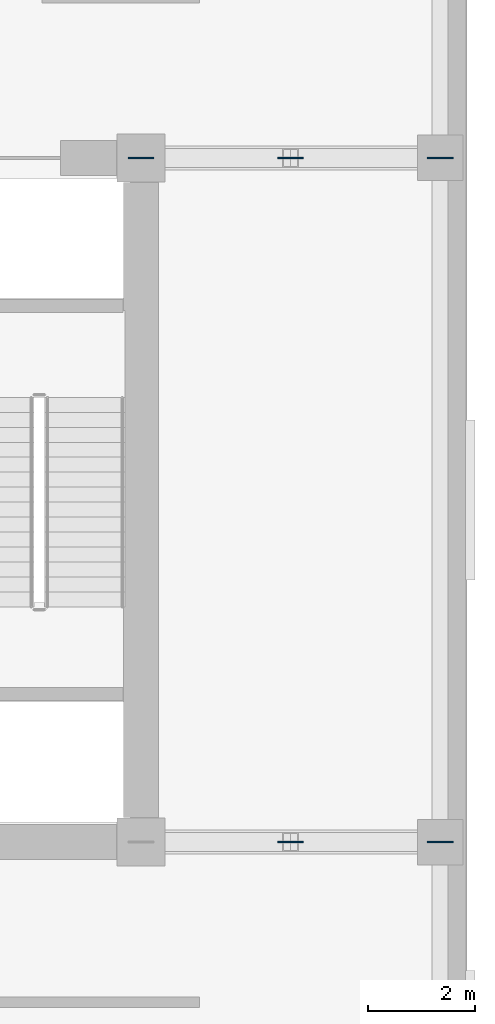
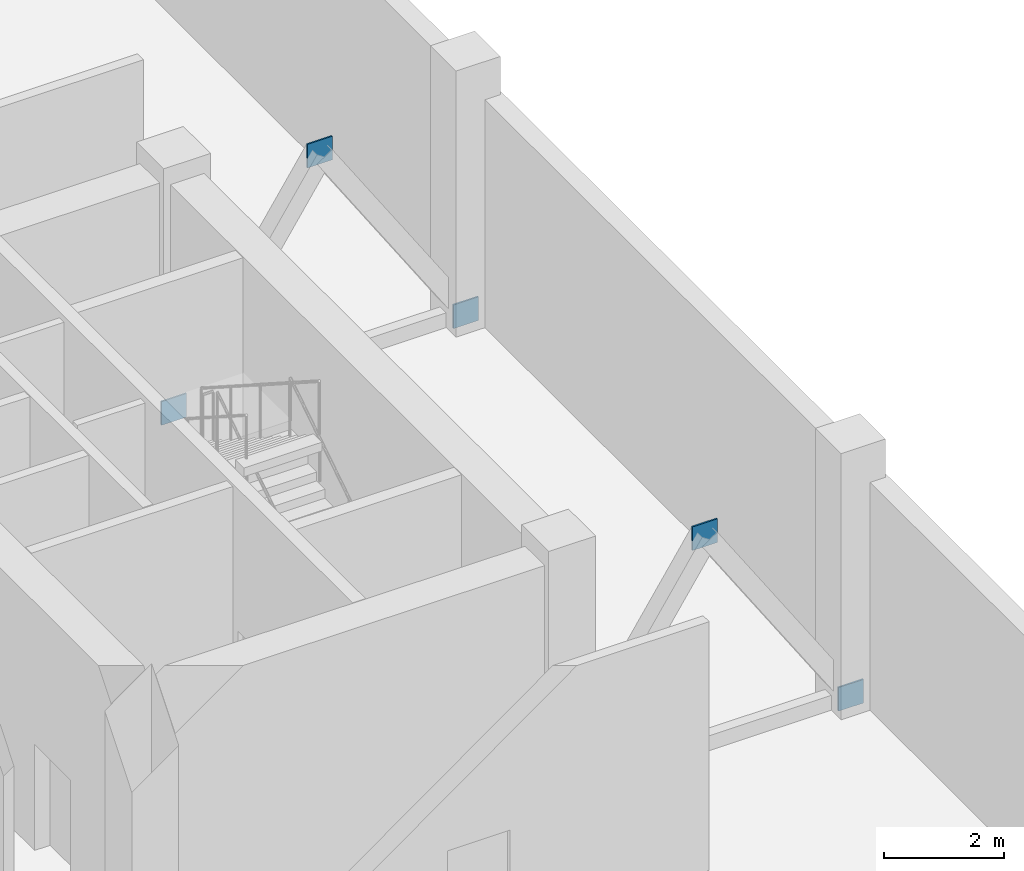
# One storey, part 4 of 9: 5 plates.
"""IFC4 building model written with IfcOpenShell, lengths in metres."""

import ifcopenshell
import ifcopenshell.guid

model = None  # the IFC model being written
_history = None  # IfcOwnerHistory: only IFC2X3 demands one
_inside = {}  # id of a spatial element -> (the spatial element, [elements in it])
_under = {}  # id of a project, library or spatial element -> (it, [spatial elements below it])
_declared = {}  # id of a project -> (the project, [libraries it declares])
_typed = {}  # id of a type object -> (the type object, [elements of that type])
_made_of = {}  # id of a material, layer set ... -> (it, [elements and type objects made of it])


def new_model(schema):
    """Start an empty IFC model of exactly this schema.

    Asked for "IFC4X3", IfcOpenShell would pick the latest addendum, in which some entities
    have other attributes; the version numbers below select the first issue.
    IFC2X3 requires an IfcOwnerHistory on every rooted entity: one is made here for all.
    """
    global model, _history
    if schema == "IFC4X3":
        model = ifcopenshell.file(schema_version=(4, 3, 0, 0))
    else:
        model = ifcopenshell.file(schema=schema)
    _inside.clear()
    _under.clear()
    _declared.clear()
    _typed.clear()
    _made_of.clear()
    _history = None
    if model.schema == "IFC2X3":
        org = make("IfcOrganization", Name="unknown")
        user = make(
            "IfcPersonAndOrganization",
            ThePerson=make("IfcPerson", FamilyName="unknown"),
            TheOrganization=org,
        )
        app = make(
            "IfcApplication",
            ApplicationDeveloper=org,
            Version="unknown",
            ApplicationFullName="unknown",
            ApplicationIdentifier="unknown",
        )
        _history = make(
            "IfcOwnerHistory",
            OwningUser=user,
            OwningApplication=app,
            ChangeAction="ADDED",
            CreationDate=0,
        )
    return model


def make(cls, **values):
    """One entity of the class cls with the attributes given. An attribute that is None is left unset."""
    return model.create_entity(
        cls, **{name: value for name, value in values.items() if value is not None}
    )


def rooted(cls, **values):
    """An entity with a GlobalId (a new one), such as an element, a storey or a relation."""
    return make(cls, GlobalId=ifcopenshell.guid.new(), OwnerHistory=_history, **values)


def si_unit(unit_type, name, prefix=None):
    """IfcSIUnit, for example si_unit("LENGTHUNIT", "METRE", prefix="MILLI")."""
    return make("IfcSIUnit", UnitType=unit_type, Prefix=prefix, Name=name)


def assignment(units):
    """IfcUnitAssignment: the units of a project."""
    return None if units is None else make("IfcUnitAssignment", Units=units)


def point(xyz):
    """IfcCartesianPoint."""
    return None if xyz is None else make("IfcCartesianPoint", Coordinates=xyz)


def direction(xyz):
    """IfcDirection."""
    return None if xyz is None else make("IfcDirection", DirectionRatios=xyz)


def frame(location, z_axis=None, x_axis=None):
    """IfcAxis2Placement3D, a coordinate frame: its origin and axes. An axis left out is left unset."""
    return make(
        "IfcAxis2Placement3D",
        Location=point(location),
        Axis=direction(z_axis),
        RefDirection=direction(x_axis),
    )


def frame_2d(location, x_axis=None):
    """IfcAxis2Placement2D, a coordinate frame in the plane: its origin and x axis."""
    return make(
        "IfcAxis2Placement2D", Location=point(location), RefDirection=direction(x_axis)
    )


def origin():
    """The frame at (0, 0, 0) with its axes left unset."""
    return frame((0.0, 0.0, 0.0))


def origin_2d():
    """The frame at (0, 0) in the plane with its x axis left unset."""
    return frame_2d((0.0, 0.0))


def place(relative_to, where):
    """IfcLocalPlacement: puts the frame where relative to a parent placement (None: the world)."""
    return make(
        "IfcLocalPlacement", PlacementRelTo=relative_to, RelativePlacement=where
    )


def context(
    kind, dimensions, precision=None, world=None, true_north=None, identifier=None
):
    """IfcGeometricRepresentationContext, for example the 3D "Model" context."""
    return make(
        "IfcGeometricRepresentationContext",
        ContextIdentifier=identifier,
        ContextType=kind,
        CoordinateSpaceDimension=dimensions,
        Precision=precision,
        WorldCoordinateSystem=world,
        TrueNorth=true_north,
    )


def subcontext(parent, identifier, kind, view, scale=None):
    """IfcGeometricRepresentationSubContext, for example "Body" below "Model"."""
    return make(
        "IfcGeometricRepresentationSubContext",
        ContextIdentifier=identifier,
        ContextType=kind,
        ParentContext=parent,
        TargetScale=scale,
        TargetView=view,
    )


def project(units=None, contexts=None):
    """IfcProject with its units and contexts."""
    return rooted(
        "IfcProject",
        Name="project",
        RepresentationContexts=contexts,
        UnitsInContext=assignment(units),
    )


def spatial(cls, under=None, at=None, **own):
    """A site, building, storey or space (cls), placed at a placement, below another one or the project."""
    s = rooted(cls, ObjectPlacement=at, **own)
    if under is not None:
        _under.setdefault(under.id(), (under, []))[1].append(s)
    return s


def profile(cls, at=None, kind="AREA", **sizes):
    """A parametric profile (cls). Its sizes go by their IFC names, for example OverallWidth=200.0."""
    return make(cls, ProfileType=kind, Position=at, **sizes)


def rectangle(**sizes):
    """IfcRectangleProfileDef."""
    return profile("IfcRectangleProfileDef", **sizes)


def extrude(swept, where, along, depth):
    """IfcExtrudedAreaSolid: the profile swept, set in the frame where, extruded along a direction by depth."""
    return make(
        "IfcExtrudedAreaSolid",
        SweptArea=swept,
        Position=where,
        ExtrudedDirection=direction(along),
        Depth=depth,
    )


def shape(context_of_items, identifier, shape_type, items):
    """IfcShapeRepresentation: the items that make up one representation, for example the "Body"."""
    return make(
        "IfcShapeRepresentation",
        ContextOfItems=context_of_items,
        RepresentationIdentifier=identifier,
        RepresentationType=shape_type,
        Items=items,
    )


def material(Name=None, Category=None):
    """IfcMaterial."""
    return make("IfcMaterial", Name=Name, Category=Category)


def layer(
    of_material, thickness, ventilated=None, Name=None, Category=None, Priority=None
):
    """IfcMaterialLayer: one layer of a wall or slab, of a material (None: an air gap)."""
    return make(
        "IfcMaterialLayer",
        Material=of_material,
        LayerThickness=thickness,
        IsVentilated=ventilated,
        Name=Name,
        Category=Category,
        Priority=Priority,
    )


def layer_set(layers, Name=None):
    """IfcMaterialLayerSet."""
    return make("IfcMaterialLayerSet", MaterialLayers=layers, LayerSetName=Name)


def made_of(thing, what):
    """Note that an element or type object is made of a material, layer set ...; save() writes the relation."""
    if what is not None:
        _made_of.setdefault(what.id(), (what, []))[1].append(thing)
    return thing


def type_object(cls, material=None, **own):
    """A type object (cls), such as IfcWallType, which elements share."""
    return made_of(rooted(cls, **own), material)


def element(
    cls,
    number,
    at=None,
    inside=None,
    cuts=None,
    type_object=None,
    material=None,
    context=None,
    identifier="Body",
    shape_type=None,
    held_by="IfcProductDefinitionShape",
    body=None,
    shapes=None,
    **own,
):
    """One element of the class cls, such as IfcWall. Its Tag is "e" and its number.

    at: its placement. inside: the storey or other place that contains it. cuts: it is an
    opening in that element (IfcRelVoidsElement). A single representation is given by context,
    identifier, shape_type and body (its items); several are given by shapes. held_by: the class
    of the entity that holds the representations. save() writes the other relations.
    """
    e = rooted(cls, Tag="e%d" % number, ObjectPlacement=at, **own)
    if body is not None:
        shapes = [shape(context, identifier, shape_type, body)]
    if shapes is not None:
        e.Representation = make(held_by, Representations=shapes)
    if inside is not None:
        _inside.setdefault(inside.id(), (inside, []))[1].append(e)
    if cuts is not None:
        rooted(
            "IfcRelVoidsElement", RelatingBuildingElement=cuts, RelatedOpeningElement=e
        )
    if type_object is not None:
        _typed.setdefault(type_object.id(), (type_object, []))[1].append(e)
    return made_of(e, material)


def aggregate(whole, parts):
    """IfcRelAggregates: a whole, such as a stair, and the parts it consists of."""
    return rooted("IfcRelAggregates", RelatingObject=whole, RelatedObjects=parts)


def save(model, path):
    """Write the relations noted so far, then the file.

    IfcRelAggregates (storeys below a building ...), IfcRelContainedInSpatialStructure (elements
    in a storey), IfcRelDefinesByType, IfcRelAssociatesMaterial and IfcRelDeclares: one each for
    every whole, place, type object, material and project.
    """
    for whole, parts in _under.values():
        aggregate(whole, parts)
    for where, things in _inside.values():
        rooted(
            "IfcRelContainedInSpatialStructure",
            RelatedElements=things,
            RelatingStructure=where,
        )
    for kind, things in _typed.values():
        rooted("IfcRelDefinesByType", RelatedObjects=things, RelatingType=kind)
    for what, things in _made_of.values():
        rooted("IfcRelAssociatesMaterial", RelatedObjects=things, RelatingMaterial=what)
    for by, libraries in _declared.values():
        rooted("IfcRelDeclares", RelatingContext=by, RelatedDefinitions=libraries)
    model.write(path)


model = new_model("IFC4")

# Units and contexts
model_context = context("Model", 3, precision=1e-05, world=origin(), true_north=direction((0.0, 1.0)))
body_context = subcontext(model_context, "Body", "Model", "MODEL_VIEW")
ifc_project = project(units=[si_unit("LENGTHUNIT", "METRE"), si_unit("AREAUNIT", "SQUARE_METRE"), si_unit("VOLUMEUNIT", "CUBIC_METRE"), si_unit("PLANEANGLEUNIT", "RADIAN"), si_unit("MASSUNIT", "GRAM", prefix="KILO")], contexts=[model_context])

# Site, building, storey
site_placement = place(None, origin())
site = spatial("IfcSite", under=ifc_project, at=site_placement, CompositionType="ELEMENT")
building_placement = place(site_placement, origin())
building = spatial("IfcBuilding", under=site, at=building_placement, Name="Kranthara Brick Stack", CompositionType="ELEMENT")
storey_placement = place(building_placement, frame((0.0, 0.0, 197.300048828125)))
storey = spatial("IfcBuildingStorey", under=building, at=storey_placement, Name="L51", CompositionType="ELEMENT", Elevation=197.300048828125)

# Plates
ifc_material = material(Name="Steel S355", Category="steel")
ifc_layer = layer(ifc_material, 0.030029296875)
ifc_layer_set = layer_set([ifc_layer], Name="Steel S355")
plate_type = type_object("IfcPlateType", Name="PLT-GUSSET-30", PredefinedType="USERDEFINED", material=ifc_layer_set)
for number, where, z_axis, x_axis, name in (
    (1, (46.0, 20.800048828125, 4.099853515625), (0.0, 0.0, 1.0), (1.0, 0.0, 0.0), "L51 Brace and Strut End Connection Gusset Plate 169"),
    (2, (43.199951171875, 33.60009765625, -0.14013671875), (0.0, 0.0, 1.0), (1.0, 0.0, 0.0), "L51 Brace and Strut End Connection Gusset Plate 170"),
    (3, (46.0, 33.60009765625, 4.099853515625), (0.0, 0.0, 1.0), (1.0, 0.0, 0.0), "L51 Brace and Strut End Connection Gusset Plate 171"),
    (4, (48.800048828125, 20.800048828125, -0.14013671875), (0.0, 0.0, 1.0), (1.0, 0.0, 0.0), "L51 Brace and Strut End Connection Gusset Plate 174"),
    (5, (48.800048828125, 33.60009765625, -0.14013671875), (0.0, 0.0, 1.0), (1.0, 0.0, 0.0), "L51 Brace and Strut End Connection Gusset Plate 175"),
):
    element("IfcPlate", number, at=place(storey_placement, frame(where, z_axis=z_axis, x_axis=x_axis)), inside=storey, type_object=plate_type, Name=name, ObjectType="GUSSET PLATE", PredefinedType="USERDEFINED", context=body_context, shape_type="SweptSolid", body=[
        extrude(rectangle(XDim=0.47998046875, YDim=0.030029296875, at=origin_2d()), origin(), (0.0, 0.0, 1.0), 0.47998046875),
    ])

save(model, "model.ifc")
